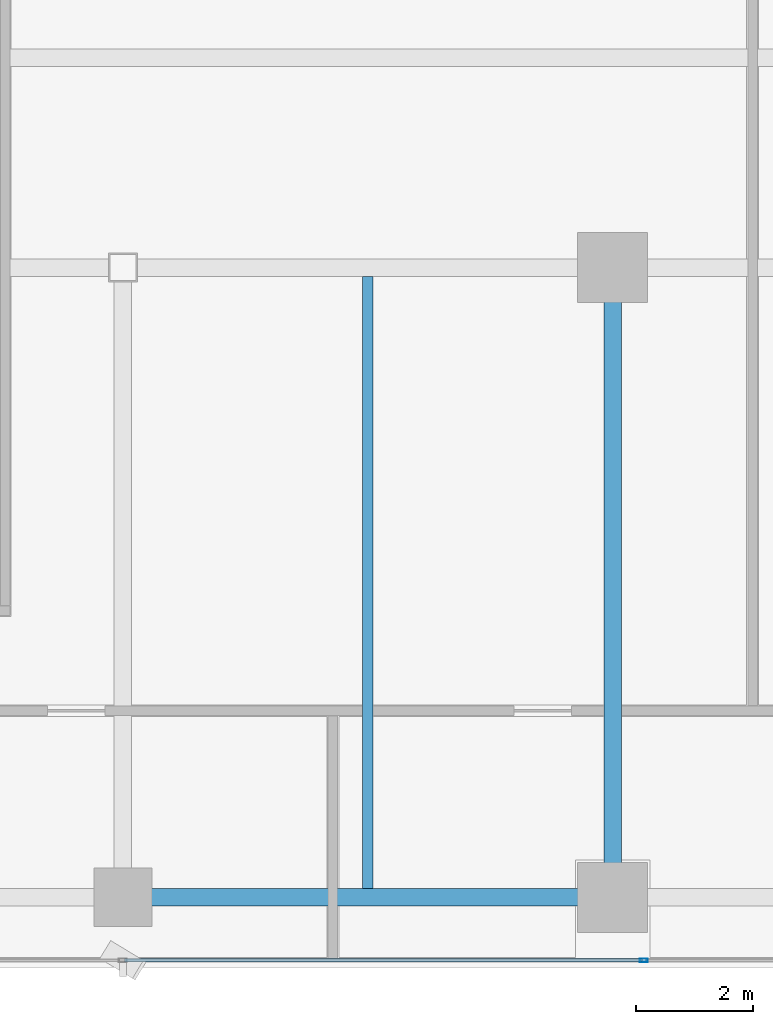
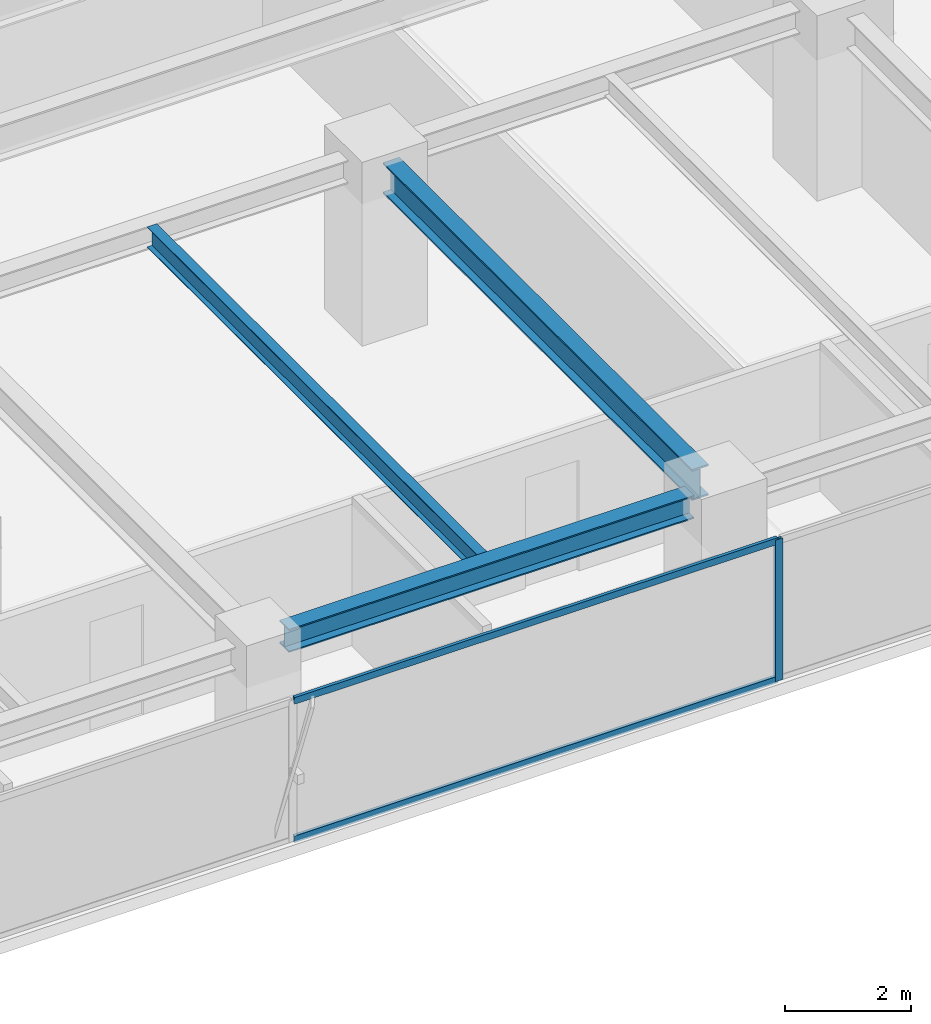
# One storey, part 7 of 26: 3 beams, 3 members, 1 element without a shape of its own.
"""IFC4 building model written with IfcOpenShell, lengths in metres."""

import ifcopenshell
import ifcopenshell.guid

model = None  # the IFC model being written
_history = None  # IfcOwnerHistory: only IFC2X3 demands one
_inside = {}  # id of a spatial element -> (the spatial element, [elements in it])
_under = {}  # id of a project, library or spatial element -> (it, [spatial elements below it])
_declared = {}  # id of a project -> (the project, [libraries it declares])
_typed = {}  # id of a type object -> (the type object, [elements of that type])
_made_of = {}  # id of a material, layer set ... -> (it, [elements and type objects made of it])


def new_model(schema):
    """Start an empty IFC model of exactly this schema.

    Asked for "IFC4X3", IfcOpenShell would pick the latest addendum, in which some entities
    have other attributes; the version numbers below select the first issue.
    IFC2X3 requires an IfcOwnerHistory on every rooted entity: one is made here for all.
    """
    global model, _history
    if schema == "IFC4X3":
        model = ifcopenshell.file(schema_version=(4, 3, 0, 0))
    else:
        model = ifcopenshell.file(schema=schema)
    _inside.clear()
    _under.clear()
    _declared.clear()
    _typed.clear()
    _made_of.clear()
    _history = None
    if model.schema == "IFC2X3":
        org = make("IfcOrganization", Name="unknown")
        user = make(
            "IfcPersonAndOrganization",
            ThePerson=make("IfcPerson", FamilyName="unknown"),
            TheOrganization=org,
        )
        app = make(
            "IfcApplication",
            ApplicationDeveloper=org,
            Version="unknown",
            ApplicationFullName="unknown",
            ApplicationIdentifier="unknown",
        )
        _history = make(
            "IfcOwnerHistory",
            OwningUser=user,
            OwningApplication=app,
            ChangeAction="ADDED",
            CreationDate=0,
        )
    return model


def make(cls, **values):
    """One entity of the class cls with the attributes given. An attribute that is None is left unset."""
    return model.create_entity(
        cls, **{name: value for name, value in values.items() if value is not None}
    )


def rooted(cls, **values):
    """An entity with a GlobalId (a new one), such as an element, a storey or a relation."""
    return make(cls, GlobalId=ifcopenshell.guid.new(), OwnerHistory=_history, **values)


def si_unit(unit_type, name, prefix=None):
    """IfcSIUnit, for example si_unit("LENGTHUNIT", "METRE", prefix="MILLI")."""
    return make("IfcSIUnit", UnitType=unit_type, Prefix=prefix, Name=name)


def assignment(units):
    """IfcUnitAssignment: the units of a project."""
    return None if units is None else make("IfcUnitAssignment", Units=units)


def point(xyz):
    """IfcCartesianPoint."""
    return None if xyz is None else make("IfcCartesianPoint", Coordinates=xyz)


def direction(xyz):
    """IfcDirection."""
    return None if xyz is None else make("IfcDirection", DirectionRatios=xyz)


def frame(location, z_axis=None, x_axis=None):
    """IfcAxis2Placement3D, a coordinate frame: its origin and axes. An axis left out is left unset."""
    return make(
        "IfcAxis2Placement3D",
        Location=point(location),
        Axis=direction(z_axis),
        RefDirection=direction(x_axis),
    )


def frame_2d(location, x_axis=None):
    """IfcAxis2Placement2D, a coordinate frame in the plane: its origin and x axis."""
    return make(
        "IfcAxis2Placement2D", Location=point(location), RefDirection=direction(x_axis)
    )


def origin():
    """The frame at (0, 0, 0) with its axes left unset."""
    return frame((0.0, 0.0, 0.0))


def origin_2d():
    """The frame at (0, 0) in the plane with its x axis left unset."""
    return frame_2d((0.0, 0.0))


def place(relative_to, where):
    """IfcLocalPlacement: puts the frame where relative to a parent placement (None: the world)."""
    return make(
        "IfcLocalPlacement", PlacementRelTo=relative_to, RelativePlacement=where
    )


def context(
    kind, dimensions, precision=None, world=None, true_north=None, identifier=None
):
    """IfcGeometricRepresentationContext, for example the 3D "Model" context."""
    return make(
        "IfcGeometricRepresentationContext",
        ContextIdentifier=identifier,
        ContextType=kind,
        CoordinateSpaceDimension=dimensions,
        Precision=precision,
        WorldCoordinateSystem=world,
        TrueNorth=true_north,
    )


def subcontext(parent, identifier, kind, view, scale=None):
    """IfcGeometricRepresentationSubContext, for example "Body" below "Model"."""
    return make(
        "IfcGeometricRepresentationSubContext",
        ContextIdentifier=identifier,
        ContextType=kind,
        ParentContext=parent,
        TargetScale=scale,
        TargetView=view,
    )


def project(units=None, contexts=None):
    """IfcProject with its units and contexts."""
    return rooted(
        "IfcProject",
        Name="project",
        RepresentationContexts=contexts,
        UnitsInContext=assignment(units),
    )


def spatial(cls, under=None, at=None, **own):
    """A site, building, storey or space (cls), placed at a placement, below another one or the project."""
    s = rooted(cls, ObjectPlacement=at, **own)
    if under is not None:
        _under.setdefault(under.id(), (under, []))[1].append(s)
    return s


def profile(cls, at=None, kind="AREA", **sizes):
    """A parametric profile (cls). Its sizes go by their IFC names, for example OverallWidth=200.0."""
    return make(cls, ProfileType=kind, Position=at, **sizes)


def hollow_rectangle(**sizes):
    """IfcRectangleHollowProfileDef."""
    return profile("IfcRectangleHollowProfileDef", **sizes)


def i_section(**sizes):
    """IfcIShapeProfileDef."""
    return profile("IfcIShapeProfileDef", **sizes)


def extrude(swept, where, along, depth):
    """IfcExtrudedAreaSolid: the profile swept, set in the frame where, extruded along a direction by depth."""
    return make(
        "IfcExtrudedAreaSolid",
        SweptArea=swept,
        Position=where,
        ExtrudedDirection=direction(along),
        Depth=depth,
    )


def shape(context_of_items, identifier, shape_type, items):
    """IfcShapeRepresentation: the items that make up one representation, for example the "Body"."""
    return make(
        "IfcShapeRepresentation",
        ContextOfItems=context_of_items,
        RepresentationIdentifier=identifier,
        RepresentationType=shape_type,
        Items=items,
    )


def source(mapping_origin, context_of_items, identifier, shape_type, items):
    """IfcRepresentationMap: a shape defined once, which mapped items show again and again."""
    return make(
        "IfcRepresentationMap",
        MappingOrigin=mapping_origin,
        MappedRepresentation=shape(context_of_items, identifier, shape_type, items),
    )


def transform(
    local_origin,
    x_axis=None,
    y_axis=None,
    z_axis=None,
    scale=None,
    scale2=None,
    scale3=None,
    uniform=True,
):
    """IfcCartesianTransformationOperator3D, or its non-uniform kind. x_axis, y_axis, z_axis: its Axis1, 2, 3."""
    if uniform:
        return make(
            "IfcCartesianTransformationOperator3D",
            Axis1=direction(x_axis),
            Axis2=direction(y_axis),
            LocalOrigin=point(local_origin),
            Scale=scale,
            Axis3=direction(z_axis),
        )
    return make(
        "IfcCartesianTransformationOperator3DnonUniform",
        Axis1=direction(x_axis),
        Axis2=direction(y_axis),
        LocalOrigin=point(local_origin),
        Scale=scale,
        Axis3=direction(z_axis),
        Scale2=scale2,
        Scale3=scale3,
    )


def mapped(mapping_source, mapping_target):
    """IfcMappedItem: shows the shape of a source again, moved by a transform."""
    return make(
        "IfcMappedItem", MappingSource=mapping_source, MappingTarget=mapping_target
    )


def material(Name=None, Category=None):
    """IfcMaterial."""
    return make("IfcMaterial", Name=Name, Category=Category)


def layer(
    of_material, thickness, ventilated=None, Name=None, Category=None, Priority=None
):
    """IfcMaterialLayer: one layer of a wall or slab, of a material (None: an air gap)."""
    return make(
        "IfcMaterialLayer",
        Material=of_material,
        LayerThickness=thickness,
        IsVentilated=ventilated,
        Name=Name,
        Category=Category,
        Priority=Priority,
    )


def layer_set(layers, Name=None):
    """IfcMaterialLayerSet."""
    return make("IfcMaterialLayerSet", MaterialLayers=layers, LayerSetName=Name)


def material_profile(
    of_material, cross_section, Name=None, Category=None, Priority=None
):
    """IfcMaterialProfile: a cross section and its material."""
    return make(
        "IfcMaterialProfile",
        Name=Name,
        Material=of_material,
        Profile=cross_section,
        Priority=Priority,
        Category=Category,
    )


def profile_set(profiles, Name=None, composite=None):
    """IfcMaterialProfileSet."""
    return make(
        "IfcMaterialProfileSet",
        Name=Name,
        MaterialProfiles=profiles,
        CompositeProfile=composite,
    )


def made_of(thing, what):
    """Note that an element or type object is made of a material, layer set ...; save() writes the relation."""
    if what is not None:
        _made_of.setdefault(what.id(), (what, []))[1].append(thing)
    return thing


def type_object(cls, material=None, **own):
    """A type object (cls), such as IfcWallType, which elements share."""
    return made_of(rooted(cls, **own), material)


def element(
    cls,
    number,
    at=None,
    inside=None,
    cuts=None,
    type_object=None,
    material=None,
    context=None,
    identifier="Body",
    shape_type=None,
    held_by="IfcProductDefinitionShape",
    body=None,
    shapes=None,
    **own,
):
    """One element of the class cls, such as IfcWall. Its Tag is "e" and its number.

    at: its placement. inside: the storey or other place that contains it. cuts: it is an
    opening in that element (IfcRelVoidsElement). A single representation is given by context,
    identifier, shape_type and body (its items); several are given by shapes. held_by: the class
    of the entity that holds the representations. save() writes the other relations.
    """
    e = rooted(cls, Tag="e%d" % number, ObjectPlacement=at, **own)
    if body is not None:
        shapes = [shape(context, identifier, shape_type, body)]
    if shapes is not None:
        e.Representation = make(held_by, Representations=shapes)
    if inside is not None:
        _inside.setdefault(inside.id(), (inside, []))[1].append(e)
    if cuts is not None:
        rooted(
            "IfcRelVoidsElement", RelatingBuildingElement=cuts, RelatedOpeningElement=e
        )
    if type_object is not None:
        _typed.setdefault(type_object.id(), (type_object, []))[1].append(e)
    return made_of(e, material)


def aggregate(whole, parts):
    """IfcRelAggregates: a whole, such as a stair, and the parts it consists of."""
    return rooted("IfcRelAggregates", RelatingObject=whole, RelatedObjects=parts)


def save(model, path):
    """Write the relations noted so far, then the file.

    IfcRelAggregates (storeys below a building ...), IfcRelContainedInSpatialStructure (elements
    in a storey), IfcRelDefinesByType, IfcRelAssociatesMaterial and IfcRelDeclares: one each for
    every whole, place, type object, material and project.
    """
    for whole, parts in _under.values():
        aggregate(whole, parts)
    for where, things in _inside.values():
        rooted(
            "IfcRelContainedInSpatialStructure",
            RelatedElements=things,
            RelatingStructure=where,
        )
    for kind, things in _typed.values():
        rooted("IfcRelDefinesByType", RelatedObjects=things, RelatingType=kind)
    for what, things in _made_of.values():
        rooted("IfcRelAssociatesMaterial", RelatedObjects=things, RelatingMaterial=what)
    for by, libraries in _declared.values():
        rooted("IfcRelDeclares", RelatingContext=by, RelatedDefinitions=libraries)
    model.write(path)


model = new_model("IFC4")

# Units and contexts
model_context = context("Model", 3, precision=1e-05, world=origin(), true_north=direction((0.0, 1.0)))
body_context = subcontext(model_context, "Body", "Model", "MODEL_VIEW")
ifc_project = project(units=[si_unit("LENGTHUNIT", "METRE"), si_unit("AREAUNIT", "SQUARE_METRE"), si_unit("VOLUMEUNIT", "CUBIC_METRE"), si_unit("PLANEANGLEUNIT", "RADIAN"), si_unit("MASSUNIT", "GRAM", prefix="KILO")], contexts=[model_context])

# Site, building, storey
site_placement = place(None, origin())
site = spatial("IfcSite", under=ifc_project, at=site_placement, CompositionType="ELEMENT")
building_placement = place(site_placement, origin())
building = spatial("IfcBuilding", under=site, at=building_placement, Name="Sumidabori Civic Tower", CompositionType="ELEMENT")
storey_placement = place(building_placement, frame((0.0, 0.0, 254.0)))
storey = spatial("IfcBuildingStorey", under=building, at=storey_placement, Name="L66", CompositionType="ELEMENT", Elevation=254.0)

# Beams
ifc_material_1 = material(Name="Steel SN490", Category="steel")
ifc_material_profile_1 = material_profile(ifc_material_1, i_section(OverallWidth=0.300048828125, OverallDepth=0.60009765625, WebThickness=0.015380859375, FlangeThickness=0.030029296875, at=origin_2d()), Name="HE 600 B")
ifc_profile_set_1 = profile_set([ifc_material_profile_1], Name="Steel SN490")
beam_type_1 = type_object("IfcBeamType", Name="BM-GIRD-600", PredefinedType="BEAM", material=ifc_profile_set_1)
shared_shape_1 = source(origin(), body_context, "Body", "SweptSolid", [
    extrude(i_section(OverallWidth=0.300048828125, OverallDepth=0.60009765625, WebThickness=0.015380859375, FlangeThickness=0.030029296875, at=origin_2d()), origin(), (0.0, 0.0, 1.0), 9.840087890625),
])
beam_1_placement = place(storey_placement, frame((8.39990234375, -10.320068359375, 3.070068359375), z_axis=(0.0, 1.0, 0.0), x_axis=(-1.0, 0.0, 0.0)))
element("IfcBeam", 1, at=beam_1_placement, inside=storey, type_object=beam_type_1, Name="Primary Girder L66 GY-14", PredefinedType="BEAM", context=body_context, shape_type="MappedRepresentation", body=[
    mapped(shared_shape_1, transform((0.0, 0.0, 0.0), x_axis=(1.0, 0.0, 0.0), y_axis=(0.0, 1.0, 0.0), z_axis=(0.0, 0.0, 1.0), scale=1.0)),
])
ifc_material_profile_2 = material_profile(ifc_material_1, i_section(OverallWidth=0.300048828125, OverallDepth=0.449951171875, WebThickness=0.013916015625, FlangeThickness=0.02587890625, at=origin_2d()), Name="HE 450 B")
ifc_profile_set_2 = profile_set([ifc_material_profile_2], Name="Steel SN490")
beam_type_2 = type_object("IfcBeamType", Name="BM-GIRD-450", PredefinedType="BEAM", material=ifc_profile_set_2)
shared_shape_2 = source(origin(), body_context, "Body", "SweptSolid", [
    extrude(i_section(OverallWidth=0.300048828125, OverallDepth=0.449951171875, WebThickness=0.013916015625, FlangeThickness=0.02587890625, at=origin_2d()), origin(), (0.0, 0.0, 1.0), 7.43994140625),
])
beam_2_placement = place(storey_placement, frame((0.47998046875, -10.800048828125, 3.14501953125), z_axis=(1.0, 0.0, 0.0), x_axis=(0.0, 1.0, 0.0)))
element("IfcBeam", 2, at=beam_2_placement, inside=storey, type_object=beam_type_2, Name="Primary Girder L66 GX-03", PredefinedType="BEAM", context=body_context, shape_type="MappedRepresentation", body=[
    mapped(shared_shape_2, transform((0.0, 0.0, 0.0), x_axis=(1.0, 0.0, 0.0), y_axis=(0.0, 1.0, 0.0), z_axis=(0.0, 0.0, 1.0), scale=1.0)),
])
ifc_material_profile_3 = material_profile(ifc_material_1, i_section(OverallWidth=0.179931640625, OverallDepth=0.39990234375, WebThickness=0.008544921875, FlangeThickness=0.013427734375, at=origin_2d()), Name="IPE 400")
ifc_profile_set_3 = profile_set([ifc_material_profile_3], Name="Steel SN490")
beam_type_3 = type_object("IfcBeamType", Name="BM-JST-400", PredefinedType="JOIST", material=ifc_profile_set_3)
shared_shape_3 = source(origin(), body_context, "Body", "SweptSolid", [
    extrude(i_section(OverallWidth=0.179931640625, OverallDepth=0.39990234375, WebThickness=0.008544921875, FlangeThickness=0.013427734375, at=origin_2d()), origin(), (0.0, 0.0, 1.0), 10.5),
])
beam_3_placement = place(storey_placement, frame((4.199951171875, -10.64990234375, 3.169921875), z_axis=(0.0, 1.0, 0.0), x_axis=(-1.0, 0.0, 0.0)))
element("IfcBeam", 3, at=beam_3_placement, inside=storey, type_object=beam_type_3, Name="Upper Lens N-S Floor Joist L66 JSTV-22", PredefinedType="JOIST", context=body_context, shape_type="MappedRepresentation", body=[
    mapped(shared_shape_3, transform((0.0, 0.0, 0.0), x_axis=(1.0, 0.0, 0.0), y_axis=(0.0, 1.0, 0.0), z_axis=(0.0, 0.0, 1.0), scale=1.0)),
])

# Curtain wall, members
ifc_material_2 = material(Name="Anodised Bronze Aluminium AW-6063-T6", Category="aluminium")
ifc_layer = layer(ifc_material_2, 0.179931640625, Name="Anodised Bronze Aluminium AW-6063-T6")
ifc_layer_set = layer_set([ifc_layer], Name="Anodised Bronze Aluminium AW-6063-T6")
curtain_wall_type = type_object("IfcCurtainWallType", Name="CW-SYS-5", PredefinedType="NOTDEFINED", material=ifc_layer_set)
curtain_wall_placement = place(storey_placement, origin())
curtain_wall = element("IfcCurtainWall", 4, at=curtain_wall_placement, inside=storey, type_object=curtain_wall_type, Name="Curtain Wall CW:L66:R01", PredefinedType="NOTDEFINED")
ifc_material_profile_4 = material_profile(ifc_material_2, hollow_rectangle(XDim=0.06005859375, YDim=0.139892578125, WallThickness=0.0048828125, at=origin_2d()), Name="ALU MULLION 140x60")
ifc_profile_set_4 = profile_set([ifc_material_profile_4], Name="Anodised Bronze Aluminium AW-6063-T6")
member_type_1 = type_object("IfcMemberType", Name="CW-MUL-140", PredefinedType="MULLION", material=ifc_profile_set_4)
shared_shape_4 = source(origin(), body_context, "Body", "SweptSolid", [
    extrude(hollow_rectangle(XDim=0.06005859375, YDim=0.139892578125, WallThickness=0.0048828125, at=origin_2d()), origin(), (0.0, 0.0, 1.0), 2.75),
])
member_1_placement = place(storey_placement, frame((8.93505859375, -11.8798828125, 0.0), z_axis=(0.0, 0.0, 1.0), x_axis=(0.0, 1.0, 0.0)))
member_1 = element("IfcMember", 5, at=member_1_placement, type_object=member_type_1, Name="CW-5 mullion 4", PredefinedType="MULLION", context=body_context, shape_type="MappedRepresentation", body=[
    mapped(shared_shape_4, transform((0.0, 0.0, 0.0), x_axis=(1.0, 0.0, 0.0), y_axis=(0.0, 1.0, 0.0), z_axis=(0.0, 0.0, 1.0), scale=1.0)),
])
ifc_material_profile_5 = material_profile(ifc_material_2, hollow_rectangle(XDim=0.06005859375, YDim=0.1298828125, WallThickness=0.0048828125, at=origin_2d()), Name="ALU TRANSOM 130x60")
ifc_profile_set_5 = profile_set([ifc_material_profile_5], Name="Anodised Bronze Aluminium AW-6063-T6")
member_type_2 = type_object("IfcMemberType", Name="CW-TRN-130", PredefinedType="USERDEFINED", material=ifc_profile_set_5)
shared_shape_5 = source(origin(), body_context, "Body", "SweptSolid", [
    extrude(hollow_rectangle(XDim=0.06005859375, YDim=0.1298828125, WallThickness=0.0048828125, at=origin_2d()), origin(), (0.0, 0.0, 1.0), 8.875),
])
member_2_placement = place(storey_placement, frame((0.030029296875, -11.8798828125, 0.030029296875), z_axis=(1.0, 0.0, 0.0), x_axis=(0.0, 1.0, 0.0)))
member_2 = element("IfcMember", 6, at=member_2_placement, type_object=member_type_2, Name="CW-5 transom 3.1", ObjectType="TRANSOM", PredefinedType="USERDEFINED", context=body_context, shape_type="MappedRepresentation", body=[
    mapped(shared_shape_5, transform((0.0, 0.0, 0.0), x_axis=(1.0, 0.0, 0.0), y_axis=(0.0, 1.0, 0.0), z_axis=(0.0, 0.0, 1.0), scale=1.0)),
])
member_3_placement = place(storey_placement, frame((0.030029296875, -11.8798828125, 2.719970703125), z_axis=(1.0, 0.0, 0.0), x_axis=(0.0, 1.0, 0.0)))
member_3 = element("IfcMember", 7, at=member_3_placement, type_object=member_type_2, Name="CW-5 transom 3.2", ObjectType="TRANSOM", PredefinedType="USERDEFINED", context=body_context, shape_type="MappedRepresentation", body=[
    mapped(shared_shape_5, transform((0.0, 0.0, 0.0), x_axis=(1.0, 0.0, 0.0), y_axis=(0.0, 1.0, 0.0), z_axis=(0.0, 0.0, 1.0), scale=1.0)),
])
aggregate(curtain_wall, [member_1, member_2, member_3])

save(model, "model.ifc")
